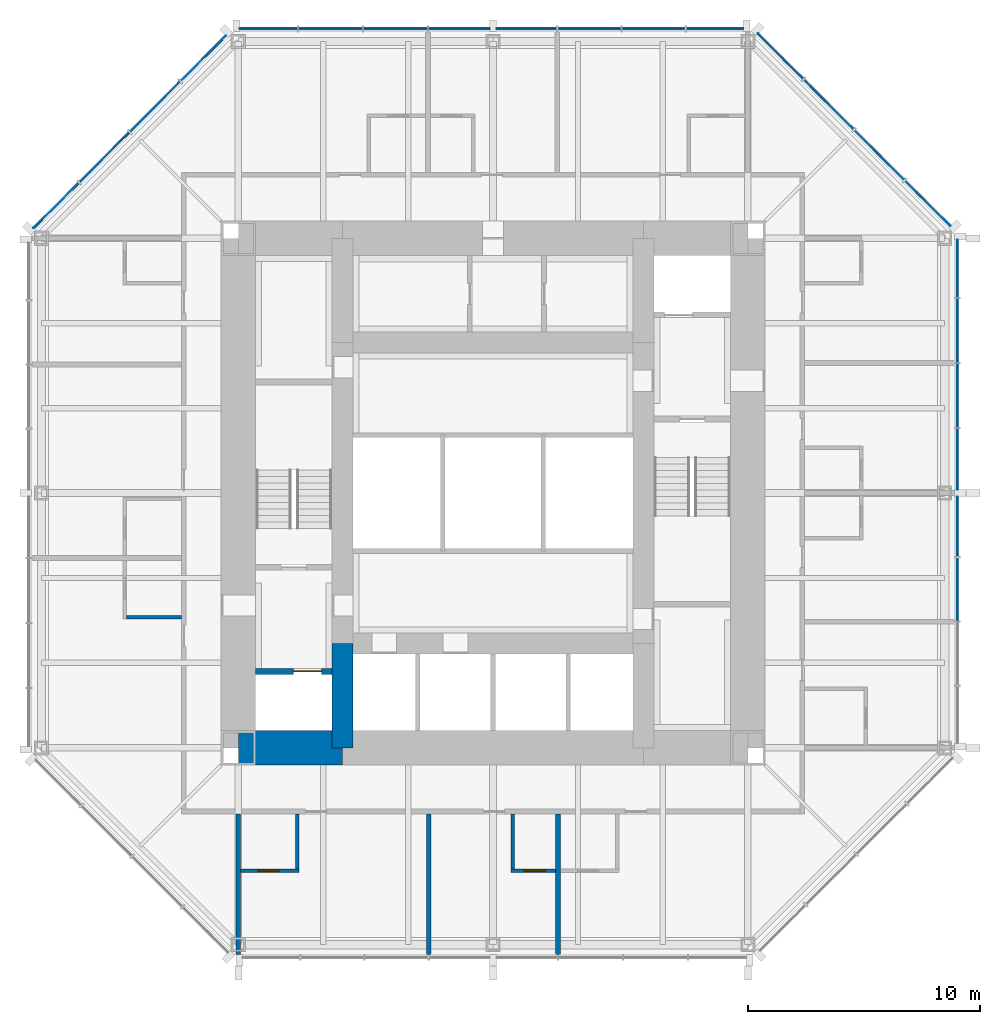
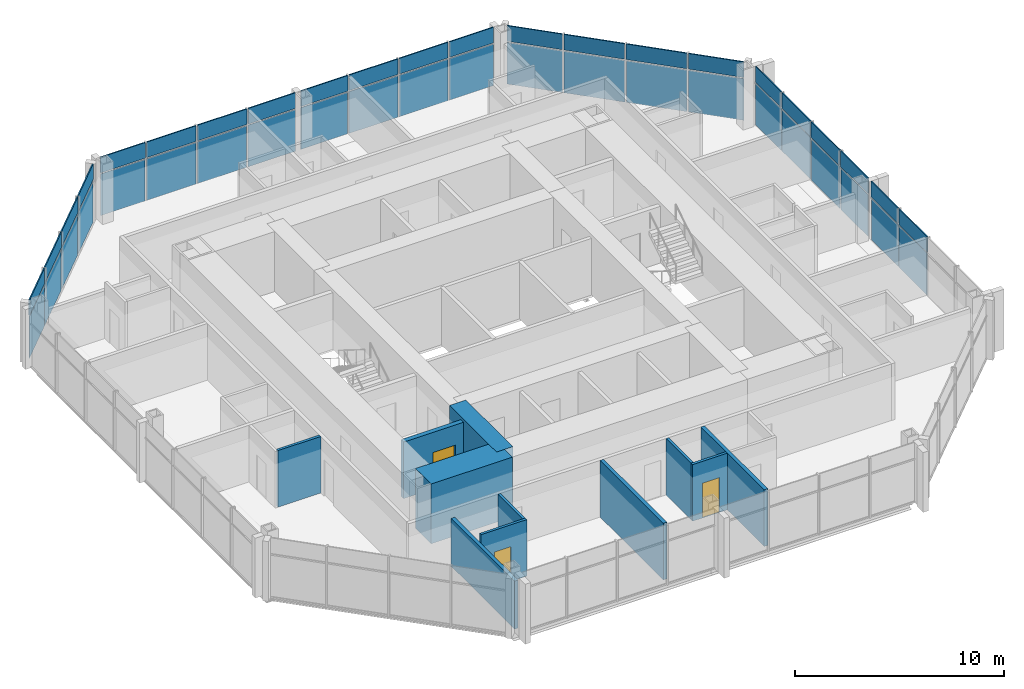
# One storey, part 7 of 11: 44 plates, 11 walls, 3 doors, 3 openings, 4 elements without a shape of their own.
"""IFC4 building model written with IfcOpenShell, lengths in metres."""

from ifc_helpers import new_model, si_unit, direction, frame, frame_2d, origin, origin_2d, place, context, subcontext, project, spatial, rectangle, extrude, material, layer, layer_set, type_object, element, fill, aggregate, save


model = new_model("IFC4")

# Units and contexts
model_context = context("Model", 3, precision=1e-05, world=origin(), true_north=direction((0.0, 1.0)))
body_context = subcontext(model_context, "Body", "Model", "MODEL_VIEW")
ifc_project = project(units=[si_unit("LENGTHUNIT", "METRE"), si_unit("AREAUNIT", "SQUARE_METRE"), si_unit("VOLUMEUNIT", "CUBIC_METRE"), si_unit("PLANEANGLEUNIT", "RADIAN"), si_unit("MASSUNIT", "GRAM", prefix="KILO")], contexts=[model_context])

# Site, building, storey
site_placement = place(None, origin())
site = spatial("IfcSite", under=ifc_project, at=site_placement, CompositionType="ELEMENT")
building_placement = place(site_placement, origin())
building = spatial("IfcBuilding", under=site, at=building_placement, Name="Trevanion Tower", CompositionType="ELEMENT")
storey_placement = place(building_placement, frame((0.0, 0.0, 211.699951171875)))
storey = spatial("IfcBuildingStorey", under=building, at=storey_placement, Name="L50", CompositionType="ELEMENT", Elevation=211.699951171875)

# Curtain wall, plates
ifc_material_1 = material(Name="Aluminium and glass", Category="aluminium")
curtain_wall_type = type_object("IfcCurtainWallType", Name="CW3 curtain wall", PredefinedType="USERDEFINED", material=ifc_material_1)
curtain_wall_1_placement = place(storey_placement, origin())
curtain_wall_1 = element("IfcCurtainWall", 1, at=curtain_wall_1_placement, inside=storey, type_object=curtain_wall_type, Name="CW3 L50 0", ObjectType="UNITISED CURTAIN WALL", PredefinedType="USERDEFINED")
ifc_material_2 = material(Name="Aluminium spandrel panel", Category="aluminium")
ifc_layer_1 = layer(ifc_material_2, 0.06005859375)
ifc_layer_set_1 = layer_set([ifc_layer_1], Name="CW3 spandrel panel")
plate_type_1 = type_object("IfcPlateType", Name="CW3 spandrel panel", PredefinedType="CURTAIN_PANEL", material=ifc_layer_set_1)
plate_1_placement = place(storey_placement, frame((20.050048828125, -4.16162109375, 2.3974609375), z_axis=(0.0, 0.0, 1.0), x_axis=(0.0, 1.0, 0.0)))
plate_1 = element("IfcPlate", 2, at=plate_1_placement, type_object=plate_type_1, Name="CW3 panel 3.2", PredefinedType="CURTAIN_PANEL", context=body_context, shape_type="SweptSolid", body=[
    extrude(rectangle(XDim=2.699462890625, YDim=0.06005859375, at=origin_2d()), origin(), (0.0, 0.0, 1.0), 0.91259765625),
])
plate_2_placement = place(storey_placement, frame((20.050048828125, -1.443603515625, 2.3974609375), z_axis=(0.0, 0.0, 1.0), x_axis=(0.0, 1.0, 0.0)))
plate_2 = element("IfcPlate", 3, at=plate_2_placement, type_object=plate_type_1, Name="CW3 panel 4.2", PredefinedType="CURTAIN_PANEL", context=body_context, shape_type="SweptSolid", body=[
    extrude(rectangle(XDim=2.5869140625, YDim=0.06005859375, at=origin_2d()), origin(), (0.0, 0.0, 1.0), 0.91259765625),
])
plate_3_placement = place(storey_placement, frame((20.050048828125, 1.459716796875, 2.3974609375), z_axis=(0.0, 0.0, 1.0), x_axis=(0.0, 1.0, 0.0)))
plate_3 = element("IfcPlate", 4, at=plate_3_placement, type_object=plate_type_1, Name="CW3 panel 5.2", PredefinedType="CURTAIN_PANEL", context=body_context, shape_type="SweptSolid", body=[
    extrude(rectangle(XDim=2.619384765625, YDim=0.06005859375, at=origin_2d()), origin(), (0.0, 0.0, 1.0), 0.91259765625),
])
plate_4_placement = place(storey_placement, frame((20.050048828125, 4.21044921875, 2.3974609375), z_axis=(0.0, 0.0, 1.0), x_axis=(0.0, 1.0, 0.0)))
plate_4 = element("IfcPlate", 5, at=plate_4_placement, type_object=plate_type_1, Name="CW3 panel 6.2", PredefinedType="CURTAIN_PANEL", context=body_context, shape_type="SweptSolid", body=[
    extrude(rectangle(XDim=2.73193359375, YDim=0.06005859375, at=origin_2d()), origin(), (0.0, 0.0, 1.0), 0.91259765625),
])
plate_5_placement = place(storey_placement, frame((20.050048828125, 7.017333984375, 2.3974609375), z_axis=(0.0, 0.0, 1.0), x_axis=(0.0, 1.0, 0.0)))
plate_5 = element("IfcPlate", 6, at=plate_5_placement, type_object=plate_type_1, Name="CW3 panel 7.2", PredefinedType="CURTAIN_PANEL", context=body_context, shape_type="SweptSolid", body=[
    extrude(rectangle(XDim=2.73193359375, YDim=0.06005859375, at=origin_2d()), origin(), (0.0, 0.0, 1.0), 0.91259765625),
])
plate_6_placement = place(storey_placement, frame((20.050048828125, 9.693115234375, 2.3974609375), z_axis=(0.0, 0.0, 1.0), x_axis=(0.0, 1.0, 0.0)))
plate_6 = element("IfcPlate", 7, at=plate_6_placement, type_object=plate_type_1, Name="CW3 panel 8.2", PredefinedType="CURTAIN_PANEL", context=body_context, shape_type="SweptSolid", body=[
    extrude(rectangle(XDim=2.469482421875, YDim=0.06005859375, at=origin_2d()), origin(), (0.0, 0.0, 1.0), 0.91259765625),
])

curtain_wall_2_placement = place(storey_placement, origin())
curtain_wall_2 = element("IfcCurtainWall", 8, at=curtain_wall_2_placement, inside=storey, type_object=curtain_wall_type, Name="CW3 L50 1", ObjectType="UNITISED CURTAIN WALL", PredefinedType="USERDEFINED")
plate_7_placement = place(storey_placement, frame((18.77392578125, 12.50390625, 2.3974609375), z_axis=(0.0, 0.0, 1.0), x_axis=(-0.707106781187, 0.707106781187, 0.0)))
plate_7 = element("IfcPlate", 9, at=plate_7_placement, type_object=plate_type_1, Name="CW3 panel 1.2", PredefinedType="CURTAIN_PANEL", context=body_context, shape_type="SweptSolid", body=[
    extrude(rectangle(XDim=2.7490234375, YDim=0.06005859375, at=origin_2d()), origin(), (0.0, 0.0, 1.0), 0.91259765625),
])
plate_8_placement = place(storey_placement, frame((16.68408203125, 14.593505859375, 2.3974609375), z_axis=(0.0, 0.0, 1.0), x_axis=(-0.707106781187, 0.707106781187, 0.0)))
plate_8 = element("IfcPlate", 10, at=plate_8_placement, type_object=plate_type_1, Name="CW3 panel 2.2", PredefinedType="CURTAIN_PANEL", context=body_context, shape_type="SweptSolid", body=[
    extrude(rectangle(XDim=3.01171875, YDim=0.06005859375, at=origin_2d()), origin(), (0.0, 0.0, 1.0), 0.91259765625),
])
plate_9_placement = place(storey_placement, frame((14.501708984375, 16.776123046875, 2.3974609375), z_axis=(0.0, 0.0, 1.0), x_axis=(-0.707106781187, 0.707106781187, 0.0)))
plate_9 = element("IfcPlate", 11, at=plate_9_placement, type_object=plate_type_1, Name="CW3 panel 3.2", PredefinedType="CURTAIN_PANEL", context=body_context, shape_type="SweptSolid", body=[
    extrude(rectangle(XDim=3.01171875, YDim=0.06005859375, at=origin_2d()), origin(), (0.0, 0.0, 1.0), 0.91259765625),
])
plate_10_placement = place(storey_placement, frame((12.411865234375, 18.865966796875, 2.3974609375), z_axis=(0.0, 0.0, 1.0), x_axis=(-0.707106781187, 0.707106781187, 0.0)))
plate_10 = element("IfcPlate", 12, at=plate_10_placement, type_object=plate_type_1, Name="CW3 panel 4.2", PredefinedType="CURTAIN_PANEL", context=body_context, shape_type="SweptSolid", body=[
    extrude(rectangle(XDim=2.7490234375, YDim=0.06005859375, at=origin_2d()), origin(), (0.0, 0.0, 1.0), 0.91259765625),
])

curtain_wall_3_placement = place(storey_placement, origin())
curtain_wall_3 = element("IfcCurtainWall", 13, at=curtain_wall_3_placement, inside=storey, type_object=curtain_wall_type, Name="CW3 L50 2", ObjectType="UNITISED CURTAIN WALL", PredefinedType="USERDEFINED")
plate_11_placement = place(storey_placement, frame((9.579345703125, 20.050048828125, 2.3974609375), z_axis=(0.0, 0.0, 1.0), x_axis=(-1.0, 0.0, 0.0)))
plate_11 = element("IfcPlate", 14, at=plate_11_placement, type_object=plate_type_1, Name="CW3 panel 1.2", PredefinedType="CURTAIN_PANEL", context=body_context, shape_type="SweptSolid", body=[
    extrude(rectangle(XDim=2.43701171875, YDim=0.06005859375, at=origin_2d()), origin(), (0.0, 0.0, 1.0), 0.91259765625),
])
plate_12_placement = place(storey_placement, frame((6.93603515625, 20.050048828125, 2.3974609375), z_axis=(0.0, 0.0, 1.0), x_axis=(-1.0, 0.0, 0.0)))
plate_12 = element("IfcPlate", 15, at=plate_12_placement, type_object=plate_type_1, Name="CW3 panel 2.2", PredefinedType="CURTAIN_PANEL", context=body_context, shape_type="SweptSolid", body=[
    extrude(rectangle(XDim=2.699462890625, YDim=0.06005859375, at=origin_2d()), origin(), (0.0, 0.0, 1.0), 0.91259765625),
])
plate_13_placement = place(storey_placement, frame((4.16162109375, 20.050048828125, 2.3974609375), z_axis=(0.0, 0.0, 1.0), x_axis=(-1.0, 0.0, 0.0)))
plate_13 = element("IfcPlate", 16, at=plate_13_placement, type_object=plate_type_1, Name="CW3 panel 3.2", PredefinedType="CURTAIN_PANEL", context=body_context, shape_type="SweptSolid", body=[
    extrude(rectangle(XDim=2.699462890625, YDim=0.06005859375, at=origin_2d()), origin(), (0.0, 0.0, 1.0), 0.91259765625),
])
plate_14_placement = place(storey_placement, frame((1.443603515625, 20.050048828125, 2.3974609375), z_axis=(0.0, 0.0, 1.0), x_axis=(-1.0, 0.0, 0.0)))
plate_14 = element("IfcPlate", 17, at=plate_14_placement, type_object=plate_type_1, Name="CW3 panel 4.2", PredefinedType="CURTAIN_PANEL", context=body_context, shape_type="SweptSolid", body=[
    extrude(rectangle(XDim=2.5869140625, YDim=0.06005859375, at=origin_2d()), origin(), (0.0, 0.0, 1.0), 0.91259765625),
])
plate_15_placement = place(storey_placement, frame((-1.459716796875, 20.050048828125, 2.3974609375), z_axis=(0.0, 0.0, 1.0), x_axis=(-1.0, 0.0, 0.0)))
plate_15 = element("IfcPlate", 18, at=plate_15_placement, type_object=plate_type_1, Name="CW3 panel 5.2", PredefinedType="CURTAIN_PANEL", context=body_context, shape_type="SweptSolid", body=[
    extrude(rectangle(XDim=2.619384765625, YDim=0.06005859375, at=origin_2d()), origin(), (0.0, 0.0, 1.0), 0.91259765625),
])
plate_16_placement = place(storey_placement, frame((-4.21044921875, 20.050048828125, 2.3974609375), z_axis=(0.0, 0.0, 1.0), x_axis=(-1.0, 0.0, 0.0)))
plate_16 = element("IfcPlate", 19, at=plate_16_placement, type_object=plate_type_1, Name="CW3 panel 6.2", PredefinedType="CURTAIN_PANEL", context=body_context, shape_type="SweptSolid", body=[
    extrude(rectangle(XDim=2.73193359375, YDim=0.06005859375, at=origin_2d()), origin(), (0.0, 0.0, 1.0), 0.91259765625),
])
plate_17_placement = place(storey_placement, frame((-7.017333984375, 20.050048828125, 2.3974609375), z_axis=(0.0, 0.0, 1.0), x_axis=(-1.0, 0.0, 0.0)))
plate_17 = element("IfcPlate", 20, at=plate_17_placement, type_object=plate_type_1, Name="CW3 panel 7.2", PredefinedType="CURTAIN_PANEL", context=body_context, shape_type="SweptSolid", body=[
    extrude(rectangle(XDim=2.73193359375, YDim=0.06005859375, at=origin_2d()), origin(), (0.0, 0.0, 1.0), 0.91259765625),
])
plate_18_placement = place(storey_placement, frame((-9.693115234375, 20.050048828125, 2.3974609375), z_axis=(0.0, 0.0, 1.0), x_axis=(-1.0, 0.0, 0.0)))
plate_18 = element("IfcPlate", 21, at=plate_18_placement, type_object=plate_type_1, Name="CW3 panel 8.2", PredefinedType="CURTAIN_PANEL", context=body_context, shape_type="SweptSolid", body=[
    extrude(rectangle(XDim=2.469482421875, YDim=0.06005859375, at=origin_2d()), origin(), (0.0, 0.0, 1.0), 0.91259765625),
])

curtain_wall_4_placement = place(storey_placement, origin())
curtain_wall_4 = element("IfcCurtainWall", 22, at=curtain_wall_4_placement, inside=storey, type_object=curtain_wall_type, Name="CW3 L50 3", ObjectType="UNITISED CURTAIN WALL", PredefinedType="USERDEFINED")
plate_19_placement = place(storey_placement, frame((-12.50390625, 18.77392578125, 2.3974609375), z_axis=(0.0, 0.0, 1.0), x_axis=(-0.707106781187, -0.707106781187, 0.0)))
plate_19 = element("IfcPlate", 23, at=plate_19_placement, type_object=plate_type_1, Name="CW3 panel 1.2", PredefinedType="CURTAIN_PANEL", context=body_context, shape_type="SweptSolid", body=[
    extrude(rectangle(XDim=2.7490234375, YDim=0.06005859375, at=origin_2d()), origin(), (0.0, 0.0, 1.0), 0.91259765625),
])
plate_20_placement = place(storey_placement, frame((-14.593505859375, 16.68408203125, 2.3974609375), z_axis=(0.0, 0.0, 1.0), x_axis=(-0.707106781187, -0.707106781187, 0.0)))
plate_20 = element("IfcPlate", 24, at=plate_20_placement, type_object=plate_type_1, Name="CW3 panel 2.2", PredefinedType="CURTAIN_PANEL", context=body_context, shape_type="SweptSolid", body=[
    extrude(rectangle(XDim=3.01171875, YDim=0.06005859375, at=origin_2d()), origin(), (0.0, 0.0, 1.0), 0.91259765625),
])
plate_21_placement = place(storey_placement, frame((-16.776123046875, 14.501708984375, 2.3974609375), z_axis=(0.0, 0.0, 1.0), x_axis=(-0.707106781187, -0.707106781187, 0.0)))
plate_21 = element("IfcPlate", 25, at=plate_21_placement, type_object=plate_type_1, Name="CW3 panel 3.2", PredefinedType="CURTAIN_PANEL", context=body_context, shape_type="SweptSolid", body=[
    extrude(rectangle(XDim=3.01171875, YDim=0.06005859375, at=origin_2d()), origin(), (0.0, 0.0, 1.0), 0.91259765625),
])
plate_22_placement = place(storey_placement, frame((-18.865966796875, 12.411865234375, 2.3974609375), z_axis=(0.0, 0.0, 1.0), x_axis=(-0.707106781187, -0.707106781187, 0.0)))
plate_22 = element("IfcPlate", 26, at=plate_22_placement, type_object=plate_type_1, Name="CW3 panel 4.2", PredefinedType="CURTAIN_PANEL", context=body_context, shape_type="SweptSolid", body=[
    extrude(rectangle(XDim=2.7490234375, YDim=0.06005859375, at=origin_2d()), origin(), (0.0, 0.0, 1.0), 0.91259765625),
])

# Plate
ifc_material_3 = material(Name="Insulating glass unit", Category="glass")
ifc_layer_2 = layer(ifc_material_3, 0.028076171875)
ifc_layer_set_2 = layer_set([ifc_layer_2], Name="CW3 vision panel")
plate_type_2 = type_object("IfcPlateType", Name="CW3 vision panel", PredefinedType="CURTAIN_PANEL", material=ifc_layer_set_2)
plate_23_placement = place(storey_placement, frame((20.050048828125, -4.16162109375, -0.114990234375), z_axis=(0.0, 0.0, 1.0), x_axis=(0.0, 1.0, 0.0)))
plate_23 = element("IfcPlate", 27, at=plate_23_placement, type_object=plate_type_2, Name="CW3 panel 3.1", PredefinedType="CURTAIN_PANEL", context=body_context, shape_type="SweptSolid", body=[
    extrude(rectangle(XDim=2.699462890625, YDim=0.028076171875, at=origin_2d()), origin(), (0.0, 0.0, 1.0), 2.4375),
])

plate_24_placement = place(storey_placement, frame((20.050048828125, -1.443603515625, -0.114990234375), z_axis=(0.0, 0.0, 1.0), x_axis=(0.0, 1.0, 0.0)))
plate_24 = element("IfcPlate", 28, at=plate_24_placement, type_object=plate_type_2, Name="CW3 panel 4.1", PredefinedType="CURTAIN_PANEL", context=body_context, shape_type="SweptSolid", body=[
    extrude(rectangle(XDim=2.5869140625, YDim=0.028076171875, at=origin_2d()), origin(), (0.0, 0.0, 1.0), 2.4375),
])

plate_25_placement = place(storey_placement, frame((20.050048828125, 1.459716796875, -0.114990234375), z_axis=(0.0, 0.0, 1.0), x_axis=(0.0, 1.0, 0.0)))
plate_25 = element("IfcPlate", 29, at=plate_25_placement, type_object=plate_type_2, Name="CW3 panel 5.1", PredefinedType="CURTAIN_PANEL", context=body_context, shape_type="SweptSolid", body=[
    extrude(rectangle(XDim=2.619384765625, YDim=0.028076171875, at=origin_2d()), origin(), (0.0, 0.0, 1.0), 2.4375),
])

plate_26_placement = place(storey_placement, frame((20.050048828125, 4.21044921875, -0.114990234375), z_axis=(0.0, 0.0, 1.0), x_axis=(0.0, 1.0, 0.0)))
plate_26 = element("IfcPlate", 30, at=plate_26_placement, type_object=plate_type_2, Name="CW3 panel 6.1", PredefinedType="CURTAIN_PANEL", context=body_context, shape_type="SweptSolid", body=[
    extrude(rectangle(XDim=2.73193359375, YDim=0.028076171875, at=origin_2d()), origin(), (0.0, 0.0, 1.0), 2.4375),
])

plate_27_placement = place(storey_placement, frame((20.050048828125, 7.017333984375, -0.114990234375), z_axis=(0.0, 0.0, 1.0), x_axis=(0.0, 1.0, 0.0)))
plate_27 = element("IfcPlate", 31, at=plate_27_placement, type_object=plate_type_2, Name="CW3 panel 7.1", PredefinedType="CURTAIN_PANEL", context=body_context, shape_type="SweptSolid", body=[
    extrude(rectangle(XDim=2.73193359375, YDim=0.028076171875, at=origin_2d()), origin(), (0.0, 0.0, 1.0), 2.4375),
])

plate_28_placement = place(storey_placement, frame((20.050048828125, 9.693115234375, -0.114990234375), z_axis=(0.0, 0.0, 1.0), x_axis=(0.0, 1.0, 0.0)))
plate_28 = element("IfcPlate", 32, at=plate_28_placement, type_object=plate_type_2, Name="CW3 panel 8.1", PredefinedType="CURTAIN_PANEL", context=body_context, shape_type="SweptSolid", body=[
    extrude(rectangle(XDim=2.469482421875, YDim=0.028076171875, at=origin_2d()), origin(), (0.0, 0.0, 1.0), 2.4375),
])

aggregate(curtain_wall_1, [plate_23, plate_1, plate_24, plate_2, plate_25, plate_3, plate_26, plate_4, plate_27, plate_5, plate_28, plate_6])

plate_29_placement = place(storey_placement, frame((18.77392578125, 12.50390625, -0.114990234375), z_axis=(0.0, 0.0, 1.0), x_axis=(-0.707106781187, 0.707106781187, 0.0)))
plate_29 = element("IfcPlate", 33, at=plate_29_placement, type_object=plate_type_2, Name="CW3 panel 1.1", PredefinedType="CURTAIN_PANEL", context=body_context, shape_type="SweptSolid", body=[
    extrude(rectangle(XDim=2.7490234375, YDim=0.028076171875, at=origin_2d()), origin(), (0.0, 0.0, 1.0), 2.4375),
])

plate_30_placement = place(storey_placement, frame((16.68408203125, 14.593505859375, -0.114990234375), z_axis=(0.0, 0.0, 1.0), x_axis=(-0.707106781187, 0.707106781187, 0.0)))
plate_30 = element("IfcPlate", 34, at=plate_30_placement, type_object=plate_type_2, Name="CW3 panel 2.1", PredefinedType="CURTAIN_PANEL", context=body_context, shape_type="SweptSolid", body=[
    extrude(rectangle(XDim=3.01171875, YDim=0.028076171875, at=origin_2d()), origin(), (0.0, 0.0, 1.0), 2.4375),
])

plate_31_placement = place(storey_placement, frame((14.501708984375, 16.776123046875, -0.114990234375), z_axis=(0.0, 0.0, 1.0), x_axis=(-0.707106781187, 0.707106781187, 0.0)))
plate_31 = element("IfcPlate", 35, at=plate_31_placement, type_object=plate_type_2, Name="CW3 panel 3.1", PredefinedType="CURTAIN_PANEL", context=body_context, shape_type="SweptSolid", body=[
    extrude(rectangle(XDim=3.01171875, YDim=0.028076171875, at=origin_2d()), origin(), (0.0, 0.0, 1.0), 2.4375),
])

plate_32_placement = place(storey_placement, frame((12.411865234375, 18.865966796875, -0.114990234375), z_axis=(0.0, 0.0, 1.0), x_axis=(-0.707106781187, 0.707106781187, 0.0)))
plate_32 = element("IfcPlate", 36, at=plate_32_placement, type_object=plate_type_2, Name="CW3 panel 4.1", PredefinedType="CURTAIN_PANEL", context=body_context, shape_type="SweptSolid", body=[
    extrude(rectangle(XDim=2.7490234375, YDim=0.028076171875, at=origin_2d()), origin(), (0.0, 0.0, 1.0), 2.4375),
])

aggregate(curtain_wall_2, [plate_29, plate_7, plate_30, plate_8, plate_31, plate_9, plate_32, plate_10])

plate_33_placement = place(storey_placement, frame((9.579345703125, 20.050048828125, -0.114990234375), z_axis=(0.0, 0.0, 1.0), x_axis=(-1.0, 0.0, 0.0)))
plate_33 = element("IfcPlate", 37, at=plate_33_placement, type_object=plate_type_2, Name="CW3 panel 1.1", PredefinedType="CURTAIN_PANEL", context=body_context, shape_type="SweptSolid", body=[
    extrude(rectangle(XDim=2.43701171875, YDim=0.028076171875, at=origin_2d()), origin(), (0.0, 0.0, 1.0), 2.4375),
])

plate_34_placement = place(storey_placement, frame((6.93603515625, 20.050048828125, -0.114990234375), z_axis=(0.0, 0.0, 1.0), x_axis=(-1.0, 0.0, 0.0)))
plate_34 = element("IfcPlate", 38, at=plate_34_placement, type_object=plate_type_2, Name="CW3 panel 2.1", PredefinedType="CURTAIN_PANEL", context=body_context, shape_type="SweptSolid", body=[
    extrude(rectangle(XDim=2.699462890625, YDim=0.028076171875, at=origin_2d()), origin(), (0.0, 0.0, 1.0), 2.4375),
])

plate_35_placement = place(storey_placement, frame((4.16162109375, 20.050048828125, -0.114990234375), z_axis=(0.0, 0.0, 1.0), x_axis=(-1.0, 0.0, 0.0)))
plate_35 = element("IfcPlate", 39, at=plate_35_placement, type_object=plate_type_2, Name="CW3 panel 3.1", PredefinedType="CURTAIN_PANEL", context=body_context, shape_type="SweptSolid", body=[
    extrude(rectangle(XDim=2.699462890625, YDim=0.028076171875, at=origin_2d()), origin(), (0.0, 0.0, 1.0), 2.4375),
])

plate_36_placement = place(storey_placement, frame((1.443603515625, 20.050048828125, -0.114990234375), z_axis=(0.0, 0.0, 1.0), x_axis=(-1.0, 0.0, 0.0)))
plate_36 = element("IfcPlate", 40, at=plate_36_placement, type_object=plate_type_2, Name="CW3 panel 4.1", PredefinedType="CURTAIN_PANEL", context=body_context, shape_type="SweptSolid", body=[
    extrude(rectangle(XDim=2.5869140625, YDim=0.028076171875, at=origin_2d()), origin(), (0.0, 0.0, 1.0), 2.4375),
])

plate_37_placement = place(storey_placement, frame((-1.459716796875, 20.050048828125, -0.114990234375), z_axis=(0.0, 0.0, 1.0), x_axis=(-1.0, 0.0, 0.0)))
plate_37 = element("IfcPlate", 41, at=plate_37_placement, type_object=plate_type_2, Name="CW3 panel 5.1", PredefinedType="CURTAIN_PANEL", context=body_context, shape_type="SweptSolid", body=[
    extrude(rectangle(XDim=2.619384765625, YDim=0.028076171875, at=origin_2d()), origin(), (0.0, 0.0, 1.0), 2.4375),
])

plate_38_placement = place(storey_placement, frame((-4.21044921875, 20.050048828125, -0.114990234375), z_axis=(0.0, 0.0, 1.0), x_axis=(-1.0, 0.0, 0.0)))
plate_38 = element("IfcPlate", 42, at=plate_38_placement, type_object=plate_type_2, Name="CW3 panel 6.1", PredefinedType="CURTAIN_PANEL", context=body_context, shape_type="SweptSolid", body=[
    extrude(rectangle(XDim=2.73193359375, YDim=0.028076171875, at=origin_2d()), origin(), (0.0, 0.0, 1.0), 2.4375),
])

plate_39_placement = place(storey_placement, frame((-7.017333984375, 20.050048828125, -0.114990234375), z_axis=(0.0, 0.0, 1.0), x_axis=(-1.0, 0.0, 0.0)))
plate_39 = element("IfcPlate", 43, at=plate_39_placement, type_object=plate_type_2, Name="CW3 panel 7.1", PredefinedType="CURTAIN_PANEL", context=body_context, shape_type="SweptSolid", body=[
    extrude(rectangle(XDim=2.73193359375, YDim=0.028076171875, at=origin_2d()), origin(), (0.0, 0.0, 1.0), 2.4375),
])

plate_40_placement = place(storey_placement, frame((-9.693115234375, 20.050048828125, -0.114990234375), z_axis=(0.0, 0.0, 1.0), x_axis=(-1.0, 0.0, 0.0)))
plate_40 = element("IfcPlate", 44, at=plate_40_placement, type_object=plate_type_2, Name="CW3 panel 8.1", PredefinedType="CURTAIN_PANEL", context=body_context, shape_type="SweptSolid", body=[
    extrude(rectangle(XDim=2.469482421875, YDim=0.028076171875, at=origin_2d()), origin(), (0.0, 0.0, 1.0), 2.4375),
])

aggregate(curtain_wall_3, [plate_33, plate_11, plate_34, plate_12, plate_35, plate_13, plate_36, plate_14, plate_37, plate_15, plate_38, plate_16, plate_39, plate_17, plate_40, plate_18])

plate_41_placement = place(storey_placement, frame((-12.50390625, 18.77392578125, -0.114990234375), z_axis=(0.0, 0.0, 1.0), x_axis=(-0.707106781187, -0.707106781187, 0.0)))
plate_41 = element("IfcPlate", 45, at=plate_41_placement, type_object=plate_type_2, Name="CW3 panel 1.1", PredefinedType="CURTAIN_PANEL", context=body_context, shape_type="SweptSolid", body=[
    extrude(rectangle(XDim=2.7490234375, YDim=0.028076171875, at=origin_2d()), origin(), (0.0, 0.0, 1.0), 2.4375),
])

plate_42_placement = place(storey_placement, frame((-14.593505859375, 16.68408203125, -0.114990234375), z_axis=(0.0, 0.0, 1.0), x_axis=(-0.707106781187, -0.707106781187, 0.0)))
plate_42 = element("IfcPlate", 46, at=plate_42_placement, type_object=plate_type_2, Name="CW3 panel 2.1", PredefinedType="CURTAIN_PANEL", context=body_context, shape_type="SweptSolid", body=[
    extrude(rectangle(XDim=3.01171875, YDim=0.028076171875, at=origin_2d()), origin(), (0.0, 0.0, 1.0), 2.4375),
])

plate_43_placement = place(storey_placement, frame((-16.776123046875, 14.501708984375, -0.114990234375), z_axis=(0.0, 0.0, 1.0), x_axis=(-0.707106781187, -0.707106781187, 0.0)))
plate_43 = element("IfcPlate", 47, at=plate_43_placement, type_object=plate_type_2, Name="CW3 panel 3.1", PredefinedType="CURTAIN_PANEL", context=body_context, shape_type="SweptSolid", body=[
    extrude(rectangle(XDim=3.01171875, YDim=0.028076171875, at=origin_2d()), origin(), (0.0, 0.0, 1.0), 2.4375),
])

plate_44_placement = place(storey_placement, frame((-18.865966796875, 12.411865234375, -0.114990234375), z_axis=(0.0, 0.0, 1.0), x_axis=(-0.707106781187, -0.707106781187, 0.0)))
plate_44 = element("IfcPlate", 48, at=plate_44_placement, type_object=plate_type_2, Name="CW3 panel 4.1", PredefinedType="CURTAIN_PANEL", context=body_context, shape_type="SweptSolid", body=[
    extrude(rectangle(XDim=2.7490234375, YDim=0.028076171875, at=origin_2d()), origin(), (0.0, 0.0, 1.0), 2.4375),
])

aggregate(curtain_wall_4, [plate_41, plate_19, plate_42, plate_20, plate_43, plate_21, plate_44, plate_22])

# Walls
ifc_material_4 = material(Name="Concrete 10,000 psi", Category="concrete")
ifc_layer_3 = layer(ifc_material_4, 1.5)
ifc_layer_set_3 = layer_set([ifc_layer_3], Name="CW1 core wall 1500")
wall_type_1 = type_object("IfcWallType", Name="CW1 core wall 1500", PredefinedType="SHEAR", material=ifc_layer_set_3)
wall_1_placement = place(storey_placement, frame((-11.0, -11.0, 0.0), z_axis=(0.0, 0.0, 1.0), x_axis=(1.0, 0.0, 0.0)))
element("IfcWall", 49, at=wall_1_placement, inside=storey, type_object=wall_type_1, Name="CW1 CS1 L50", PredefinedType="SHEAR", context=body_context, shape_type="SweptSolid", body=[
    extrude(rectangle(XDim=4.5, YDim=1.5, at=frame_2d((2.25, 0.0))), origin(), (0.0, 0.0, 1.0), 3.5),
])
ifc_material_5 = material(Name="Concrete 10,000 psi", Category="concrete")
ifc_layer_4 = layer(ifc_material_5, 0.89990234375)
ifc_layer_set_4 = layer_set([ifc_layer_4], Name="CW2 core wall 900")
wall_type_2 = type_object("IfcWallType", Name="CW2 core wall 900", PredefinedType="SHEAR", material=ifc_layer_set_4)
wall_2_placement = place(storey_placement, frame((-6.5, -6.5, 0.0), z_axis=(0.0, 0.0, 1.0), x_axis=(0.0, -1.0, 0.0)))
element("IfcWall", 50, at=wall_2_placement, inside=storey, type_object=wall_type_2, Name="CW2 RW3 L50", PredefinedType="SHEAR", context=body_context, shape_type="SweptSolid", body=[
    extrude(rectangle(XDim=4.5, YDim=0.89990234375, at=frame_2d((2.25, 0.0))), origin(), (0.0, 0.0, 1.0), 3.5),
])
ifc_material_6 = material(Name="Gypsum board on steel studs", Category="steel")
ifc_layer_5 = layer(ifc_material_6, 0.14990234375)
ifc_layer_set_5 = layer_set([ifc_layer_5], Name="PT1 partition 150")
wall_type_3 = type_object("IfcWallType", Name="PT1 partition 150", PredefinedType="PARTITIONING", material=ifc_layer_set_5)
wall_3_placement = place(storey_placement, frame((-13.449951171875, -5.35693359375, 0.0), z_axis=(0.0, 0.0, 1.0), x_axis=(-1.0, 0.0, 0.0)))
element("IfcWall", 51, at=wall_3_placement, inside=storey, type_object=wall_type_3, Name="PT1 L50 BB22", PredefinedType="PARTITIONING", context=body_context, shape_type="SweptSolid", body=[
    extrude(rectangle(XDim=2.375, YDim=0.14990234375, at=frame_2d((1.1875, 0.0))), origin(), (0.0, 0.0, 1.0), 3.31005859375),
])

# Wall, opening, door
wall_4_placement = place(storey_placement, frame((-10.89990234375, -16.300048828125, 0.0), z_axis=(0.0, 0.0, 1.0), x_axis=(1.0, 0.0, 0.0)))
wall_4 = element("IfcWall", 52, at=wall_4_placement, inside=storey, type_object=wall_type_3, Name="PT1 L50 BA30", PredefinedType="PARTITIONING", context=body_context, shape_type="SweptSolid", body=[
    extrude(rectangle(XDim=2.52490234375, YDim=0.14990234375, at=frame_2d((1.262451171875, 0.0))), origin(), (0.0, 0.0, 1.0), 3.31005859375),
])
opening_1_placement = place(wall_4_placement, frame((0.742431640625, 0.0, 0.0)))
opening_1 = element("IfcOpeningElement", 53, at=opening_1_placement, cuts=wall_4, Name="Opening 50-036", PredefinedType="OPENING", context=body_context, shape_type="SweptSolid", body=[
    extrude(rectangle(XDim=0.9150390625, YDim=2.031982421875, at=frame_2d((0.45751953125, 1.01611328125))), frame((0.0, 0.0849609375, 0.0), z_axis=(0.0, -1.0, 0.0), x_axis=(1.0, 0.0, 0.0)), (0.0, 0.0, 1.0), 0.169921875),
])
ifc_material_7 = material(Name="Timber veneer", Category="wood")
door_type_1 = type_object("IfcDoorType", Name="D7 bathroom door", OperationType="SINGLE_SWING_LEFT", PredefinedType="DOOR", material=ifc_material_7)
door_1_placement = place(opening_1_placement, origin())
door_1 = element("IfcDoor", 54, at=door_1_placement, inside=storey, type_object=door_type_1, Name="Door 50-036", OperationType="SINGLE_SWING_LEFT", OverallHeight=2.031982421875, OverallWidth=0.9150390625, PredefinedType="DOOR", context=body_context, shape_type="SweptSolid", body=[
    extrude(rectangle(XDim=0.9150390625, YDim=2.031982421875, at=frame_2d((0.45751953125, 1.01611328125))), frame((0.0, 0.02490234375, 0.0), z_axis=(0.0, -1.0, 0.0), x_axis=(1.0, 0.0, 0.0)), (0.0, 0.0, 1.0), 0.050048828125),
])
fill(opening_1, door_1)

# Wall
wall_5_placement = place(storey_placement, frame((-8.449951171875, -13.85009765625, 0.0), z_axis=(0.0, 0.0, 1.0), x_axis=(0.0, -1.0, 0.0)))
element("IfcWall", 55, at=wall_5_placement, inside=storey, type_object=wall_type_3, Name="PT1 L50 BB30", PredefinedType="PARTITIONING", context=body_context, shape_type="SweptSolid", body=[
    extrude(rectangle(XDim=2.375, YDim=0.14990234375, at=frame_2d((1.1875, 0.0))), origin(), (0.0, 0.0, 1.0), 3.31005859375),
])

# Wall, opening, door
wall_6_placement = place(storey_placement, frame((0.781982421875, -16.300048828125, 0.0), z_axis=(0.0, 0.0, 1.0), x_axis=(1.0, 0.0, 0.0)))
wall_6 = element("IfcWall", 56, at=wall_6_placement, inside=storey, type_object=wall_type_3, Name="PT1 L50 BA31", PredefinedType="PARTITIONING", context=body_context, shape_type="SweptSolid", body=[
    extrude(rectangle(XDim=1.925048828125, YDim=0.14990234375, at=frame_2d((0.96240234375, 0.0))), origin(), (0.0, 0.0, 1.0), 3.31005859375),
])
opening_2_placement = place(wall_6_placement, frame((0.5673828125, 0.0, 0.0)))
opening_2 = element("IfcOpeningElement", 57, at=opening_2_placement, cuts=wall_6, Name="Opening 50-038", PredefinedType="OPENING", context=body_context, shape_type="SweptSolid", body=[
    extrude(rectangle(XDim=0.9150390625, YDim=2.031982421875, at=frame_2d((0.45751953125, 1.01611328125))), frame((0.0, 0.0849609375, 0.0), z_axis=(0.0, -1.0, 0.0), x_axis=(1.0, 0.0, 0.0)), (0.0, 0.0, 1.0), 0.169921875),
])
door_2_placement = place(opening_2_placement, origin())
door_2 = element("IfcDoor", 58, at=door_2_placement, inside=storey, type_object=door_type_1, Name="Door 50-038", OperationType="SINGLE_SWING_LEFT", OverallHeight=2.031982421875, OverallWidth=0.9150390625, PredefinedType="DOOR", context=body_context, shape_type="SweptSolid", body=[
    extrude(rectangle(XDim=0.9150390625, YDim=2.031982421875, at=frame_2d((0.45751953125, 1.01611328125))), frame((0.0, 0.02490234375, 0.0), z_axis=(0.0, -1.0, 0.0), x_axis=(1.0, 0.0, 0.0)), (0.0, 0.0, 1.0), 0.050048828125),
])
fill(opening_2, door_2)

# Walls
wall_7_placement = place(storey_placement, frame((0.85693359375, -13.85009765625, 0.0), z_axis=(0.0, 0.0, 1.0), x_axis=(0.0, -1.0, 0.0)))
element("IfcWall", 59, at=wall_7_placement, inside=storey, type_object=wall_type_3, Name="PT1 L50 BB31", PredefinedType="PARTITIONING", context=body_context, shape_type="SweptSolid", body=[
    extrude(rectangle(XDim=2.375, YDim=0.14990234375, at=frame_2d((1.1875, 0.0))), origin(), (0.0, 0.0, 1.0), 3.31005859375),
])
ifc_material_8 = material(Name="Concrete masonry, grouted", Category="masonry")
ifc_layer_6 = layer(ifc_material_8, 0.199951171875)
ifc_layer_set_6 = layer_set([ifc_layer_6], Name="PT2 partition 200 1 HR")
wall_type_4 = type_object("IfcWallType", Name="PT2 partition 200 1 HR", PredefinedType="PARTITIONING", material=ifc_layer_set_6)
wall_8_placement = place(storey_placement, frame((-11.0, -13.85009765625, 0.0), z_axis=(0.0, 0.0, 1.0), x_axis=(0.0, -1.0, 0.0)))
element("IfcWall", 60, at=wall_8_placement, inside=storey, type_object=wall_type_4, Name="PT2 L50 HD30", PredefinedType="PARTITIONING", context=body_context, shape_type="SweptSolid", body=[
    extrude(rectangle(XDim=6.06494140625, YDim=0.199951171875, at=frame_2d((3.032470703125, 0.0))), origin(), (0.0, 0.0, 1.0), 2.802001953125),
])
for number, where, z_axis, x_axis, name in (
    (61, (-2.77490234375, -13.85009765625, 0.0), (0.0, 0.0, 1.0), (0.0, -1.0, 0.0), "PT2 L50 HD31"),
    (62, (2.806884765625, -13.85009765625, 0.0), (0.0, 0.0, 1.0), (0.0, -1.0, 0.0), "PT2 L50 HD32"),
):
    element("IfcWall", number, at=place(storey_placement, frame(where, z_axis=z_axis, x_axis=x_axis)), inside=storey, type_object=wall_type_4, Name=name, PredefinedType="PARTITIONING", context=body_context, shape_type="SweptSolid", body=[
        extrude(rectangle(XDim=6.06494140625, YDim=0.199951171875, at=frame_2d((3.032470703125, 0.0))), origin(), (0.0, 0.0, 1.0), 3.31005859375),
    ])

# Wall, opening, door
ifc_material_9 = material(Name="Concrete masonry, grouted, two-hour", Category="masonry")
ifc_layer_7 = layer(ifc_material_9, 0.25)
ifc_layer_set_7 = layer_set([ifc_layer_7], Name="PT3 partition 250 2 HR")
wall_type_5 = type_object("IfcWallType", Name="PT3 partition 250 2 HR", PredefinedType="PARTITIONING", material=ifc_layer_set_7)
wall_9_placement = place(storey_placement, frame((-6.949951171875, -7.699951171875, 0.0), z_axis=(0.0, 0.0, 1.0), x_axis=(-1.0, 0.0, 0.0)))
wall_9 = element("IfcWall", 63, at=wall_9_placement, inside=storey, type_object=wall_type_5, Name="PT3 L50 WP3", PredefinedType="PARTITIONING", context=body_context, shape_type="SweptSolid", body=[
    extrude(rectangle(XDim=3.300048828125, YDim=0.25, at=frame_2d((1.64990234375, 0.0))), origin(), (0.0, 0.0, 1.0), 3.31005859375),
])
opening_3_placement = place(wall_9_placement, frame((0.449951171875, 0.0, 0.0)))
opening_3 = element("IfcOpeningElement", 64, at=opening_3_placement, cuts=wall_9, Name="Opening 50-008", PredefinedType="OPENING", context=body_context, shape_type="SweptSolid", body=[
    extrude(rectangle(XDim=1.218994140625, YDim=2.134033203125, at=frame_2d((0.609375, 1.06689453125))), frame((0.0, 0.135009765625, 0.0), z_axis=(0.0, -1.0, 0.0), x_axis=(1.0, 0.0, 0.0)), (0.0, 0.0, 1.0), 0.27001953125),
])
ifc_material_10 = material(Name="Stainless steel, fire rated", Category="steel")
door_type_2 = type_object("IfcDoorType", Name="LD2 fire service lift landing door", OperationType="SLIDING_TO_LEFT", PredefinedType="DOOR", material=ifc_material_10)
door_3_placement = place(opening_3_placement, origin())
door_3 = element("IfcDoor", 65, at=door_3_placement, inside=storey, type_object=door_type_2, Name="Door 50-008", OperationType="SLIDING_TO_LEFT", OverallHeight=2.134033203125, OverallWidth=1.218994140625, PredefinedType="DOOR", context=body_context, shape_type="SweptSolid", body=[
    extrude(rectangle(XDim=1.218994140625, YDim=2.134033203125, at=frame_2d((0.609375, 1.06689453125))), frame((0.0, 0.02490234375, 0.0), z_axis=(0.0, -1.0, 0.0), x_axis=(1.0, 0.0, 0.0)), (0.0, 0.0, 1.0), 0.050048828125),
])
fill(opening_3, door_3)

save(model, "model.ifc")
